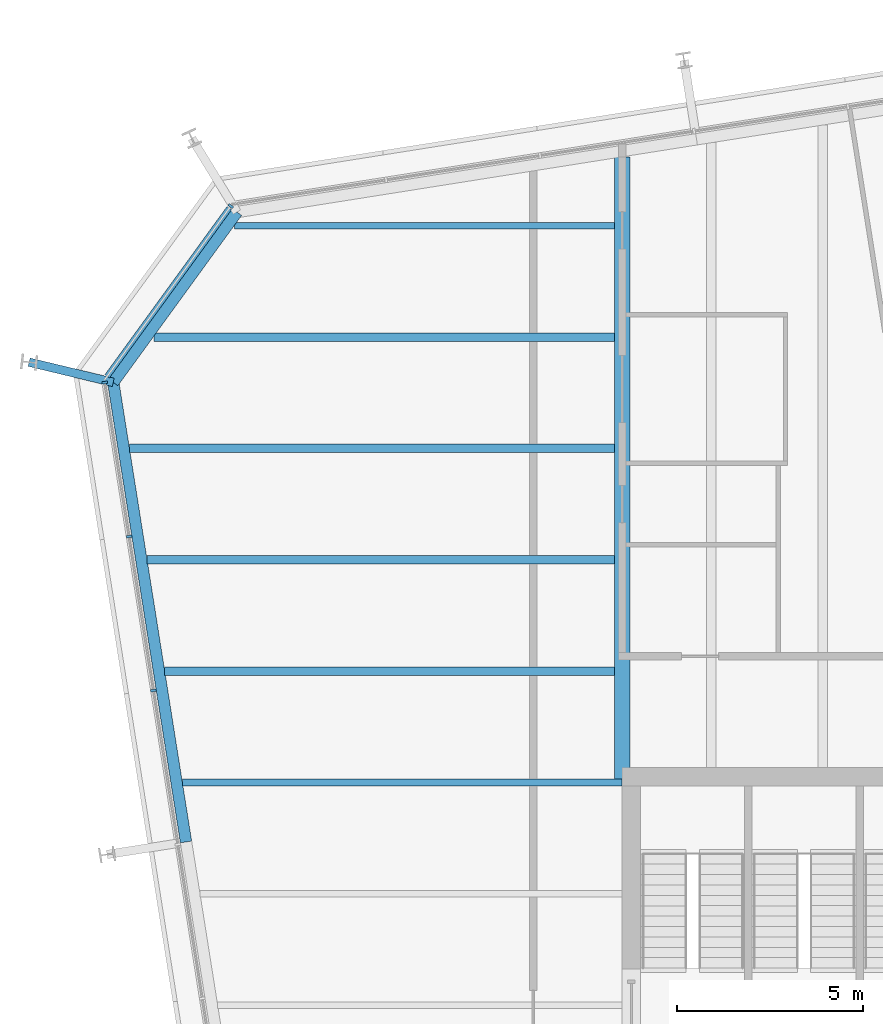
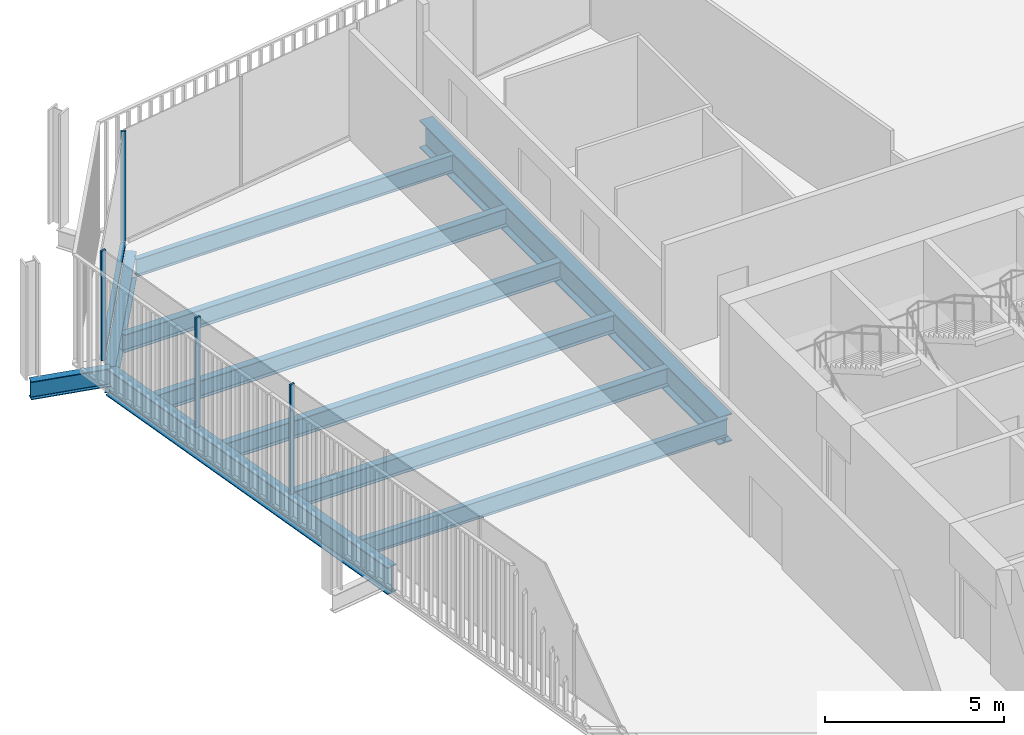
# One storey, part 10 of 20: 10 beams, 5 members, 2 elements without a shape of their own.
"""IFC4 building model written with IfcOpenShell, lengths in metres."""

import ifcopenshell
import ifcopenshell.guid

model = None  # the IFC model being written
_history = None  # IfcOwnerHistory: only IFC2X3 demands one
_inside = {}  # id of a spatial element -> (the spatial element, [elements in it])
_under = {}  # id of a project, library or spatial element -> (it, [spatial elements below it])
_declared = {}  # id of a project -> (the project, [libraries it declares])
_typed = {}  # id of a type object -> (the type object, [elements of that type])
_made_of = {}  # id of a material, layer set ... -> (it, [elements and type objects made of it])


def new_model(schema):
    """Start an empty IFC model of exactly this schema.

    Asked for "IFC4X3", IfcOpenShell would pick the latest addendum, in which some entities
    have other attributes; the version numbers below select the first issue.
    IFC2X3 requires an IfcOwnerHistory on every rooted entity: one is made here for all.
    """
    global model, _history
    if schema == "IFC4X3":
        model = ifcopenshell.file(schema_version=(4, 3, 0, 0))
    else:
        model = ifcopenshell.file(schema=schema)
    _inside.clear()
    _under.clear()
    _declared.clear()
    _typed.clear()
    _made_of.clear()
    _history = None
    if model.schema == "IFC2X3":
        org = make("IfcOrganization", Name="unknown")
        user = make(
            "IfcPersonAndOrganization",
            ThePerson=make("IfcPerson", FamilyName="unknown"),
            TheOrganization=org,
        )
        app = make(
            "IfcApplication",
            ApplicationDeveloper=org,
            Version="unknown",
            ApplicationFullName="unknown",
            ApplicationIdentifier="unknown",
        )
        _history = make(
            "IfcOwnerHistory",
            OwningUser=user,
            OwningApplication=app,
            ChangeAction="ADDED",
            CreationDate=0,
        )
    return model


def make(cls, **values):
    """One entity of the class cls with the attributes given. An attribute that is None is left unset."""
    return model.create_entity(
        cls, **{name: value for name, value in values.items() if value is not None}
    )


def rooted(cls, **values):
    """An entity with a GlobalId (a new one), such as an element, a storey or a relation."""
    return make(cls, GlobalId=ifcopenshell.guid.new(), OwnerHistory=_history, **values)


def si_unit(unit_type, name, prefix=None):
    """IfcSIUnit, for example si_unit("LENGTHUNIT", "METRE", prefix="MILLI")."""
    return make("IfcSIUnit", UnitType=unit_type, Prefix=prefix, Name=name)


def assignment(units):
    """IfcUnitAssignment: the units of a project."""
    return None if units is None else make("IfcUnitAssignment", Units=units)


def point(xyz):
    """IfcCartesianPoint."""
    return None if xyz is None else make("IfcCartesianPoint", Coordinates=xyz)


def direction(xyz):
    """IfcDirection."""
    return None if xyz is None else make("IfcDirection", DirectionRatios=xyz)


def frame(location, z_axis=None, x_axis=None):
    """IfcAxis2Placement3D, a coordinate frame: its origin and axes. An axis left out is left unset."""
    return make(
        "IfcAxis2Placement3D",
        Location=point(location),
        Axis=direction(z_axis),
        RefDirection=direction(x_axis),
    )


def frame_2d(location, x_axis=None):
    """IfcAxis2Placement2D, a coordinate frame in the plane: its origin and x axis."""
    return make(
        "IfcAxis2Placement2D", Location=point(location), RefDirection=direction(x_axis)
    )


def origin():
    """The frame at (0, 0, 0) with its axes left unset."""
    return frame((0.0, 0.0, 0.0))


def origin_2d():
    """The frame at (0, 0) in the plane with its x axis left unset."""
    return frame_2d((0.0, 0.0))


def place(relative_to, where):
    """IfcLocalPlacement: puts the frame where relative to a parent placement (None: the world)."""
    return make(
        "IfcLocalPlacement", PlacementRelTo=relative_to, RelativePlacement=where
    )


def context(
    kind, dimensions, precision=None, world=None, true_north=None, identifier=None
):
    """IfcGeometricRepresentationContext, for example the 3D "Model" context."""
    return make(
        "IfcGeometricRepresentationContext",
        ContextIdentifier=identifier,
        ContextType=kind,
        CoordinateSpaceDimension=dimensions,
        Precision=precision,
        WorldCoordinateSystem=world,
        TrueNorth=true_north,
    )


def subcontext(parent, identifier, kind, view, scale=None):
    """IfcGeometricRepresentationSubContext, for example "Body" below "Model"."""
    return make(
        "IfcGeometricRepresentationSubContext",
        ContextIdentifier=identifier,
        ContextType=kind,
        ParentContext=parent,
        TargetScale=scale,
        TargetView=view,
    )


def project(units=None, contexts=None):
    """IfcProject with its units and contexts."""
    return rooted(
        "IfcProject",
        Name="project",
        RepresentationContexts=contexts,
        UnitsInContext=assignment(units),
    )


def spatial(cls, under=None, at=None, **own):
    """A site, building, storey or space (cls), placed at a placement, below another one or the project."""
    s = rooted(cls, ObjectPlacement=at, **own)
    if under is not None:
        _under.setdefault(under.id(), (under, []))[1].append(s)
    return s


def profile(cls, at=None, kind="AREA", **sizes):
    """A parametric profile (cls). Its sizes go by their IFC names, for example OverallWidth=200.0."""
    return make(cls, ProfileType=kind, Position=at, **sizes)


def rectangle(**sizes):
    """IfcRectangleProfileDef."""
    return profile("IfcRectangleProfileDef", **sizes)


def i_section(**sizes):
    """IfcIShapeProfileDef."""
    return profile("IfcIShapeProfileDef", **sizes)


def extrude(swept, where, along, depth):
    """IfcExtrudedAreaSolid: the profile swept, set in the frame where, extruded along a direction by depth."""
    return make(
        "IfcExtrudedAreaSolid",
        SweptArea=swept,
        Position=where,
        ExtrudedDirection=direction(along),
        Depth=depth,
    )


def shape(context_of_items, identifier, shape_type, items):
    """IfcShapeRepresentation: the items that make up one representation, for example the "Body"."""
    return make(
        "IfcShapeRepresentation",
        ContextOfItems=context_of_items,
        RepresentationIdentifier=identifier,
        RepresentationType=shape_type,
        Items=items,
    )


def material(Name=None, Category=None):
    """IfcMaterial."""
    return make("IfcMaterial", Name=Name, Category=Category)


def layer(
    of_material, thickness, ventilated=None, Name=None, Category=None, Priority=None
):
    """IfcMaterialLayer: one layer of a wall or slab, of a material (None: an air gap)."""
    return make(
        "IfcMaterialLayer",
        Material=of_material,
        LayerThickness=thickness,
        IsVentilated=ventilated,
        Name=Name,
        Category=Category,
        Priority=Priority,
    )


def layer_set(layers, Name=None):
    """IfcMaterialLayerSet."""
    return make("IfcMaterialLayerSet", MaterialLayers=layers, LayerSetName=Name)


def material_profile(
    of_material, cross_section, Name=None, Category=None, Priority=None
):
    """IfcMaterialProfile: a cross section and its material."""
    return make(
        "IfcMaterialProfile",
        Name=Name,
        Material=of_material,
        Profile=cross_section,
        Priority=Priority,
        Category=Category,
    )


def profile_set(profiles, Name=None, composite=None):
    """IfcMaterialProfileSet."""
    return make(
        "IfcMaterialProfileSet",
        Name=Name,
        MaterialProfiles=profiles,
        CompositeProfile=composite,
    )


def made_of(thing, what):
    """Note that an element or type object is made of a material, layer set ...; save() writes the relation."""
    if what is not None:
        _made_of.setdefault(what.id(), (what, []))[1].append(thing)
    return thing


def type_object(cls, material=None, **own):
    """A type object (cls), such as IfcWallType, which elements share."""
    return made_of(rooted(cls, **own), material)


def element(
    cls,
    number,
    at=None,
    inside=None,
    cuts=None,
    type_object=None,
    material=None,
    context=None,
    identifier="Body",
    shape_type=None,
    held_by="IfcProductDefinitionShape",
    body=None,
    shapes=None,
    **own,
):
    """One element of the class cls, such as IfcWall. Its Tag is "e" and its number.

    at: its placement. inside: the storey or other place that contains it. cuts: it is an
    opening in that element (IfcRelVoidsElement). A single representation is given by context,
    identifier, shape_type and body (its items); several are given by shapes. held_by: the class
    of the entity that holds the representations. save() writes the other relations.
    """
    e = rooted(cls, Tag="e%d" % number, ObjectPlacement=at, **own)
    if body is not None:
        shapes = [shape(context, identifier, shape_type, body)]
    if shapes is not None:
        e.Representation = make(held_by, Representations=shapes)
    if inside is not None:
        _inside.setdefault(inside.id(), (inside, []))[1].append(e)
    if cuts is not None:
        rooted(
            "IfcRelVoidsElement", RelatingBuildingElement=cuts, RelatedOpeningElement=e
        )
    if type_object is not None:
        _typed.setdefault(type_object.id(), (type_object, []))[1].append(e)
    return made_of(e, material)


def aggregate(whole, parts):
    """IfcRelAggregates: a whole, such as a stair, and the parts it consists of."""
    return rooted("IfcRelAggregates", RelatingObject=whole, RelatedObjects=parts)


def save(model, path):
    """Write the relations noted so far, then the file.

    IfcRelAggregates (storeys below a building ...), IfcRelContainedInSpatialStructure (elements
    in a storey), IfcRelDefinesByType, IfcRelAssociatesMaterial and IfcRelDeclares: one each for
    every whole, place, type object, material and project.
    """
    for whole, parts in _under.values():
        aggregate(whole, parts)
    for where, things in _inside.values():
        rooted(
            "IfcRelContainedInSpatialStructure",
            RelatedElements=things,
            RelatingStructure=where,
        )
    for kind, things in _typed.values():
        rooted("IfcRelDefinesByType", RelatedObjects=things, RelatingType=kind)
    for what, things in _made_of.values():
        rooted("IfcRelAssociatesMaterial", RelatedObjects=things, RelatingMaterial=what)
    for by, libraries in _declared.values():
        rooted("IfcRelDeclares", RelatingContext=by, RelatedDefinitions=libraries)
    model.write(path)


model = new_model("IFC4")

# Units and contexts
model_context = context("Model", 3, precision=1e-05, world=origin(), true_north=direction((0.0, 1.0)))
body_context = subcontext(model_context, "Body", "Model", "MODEL_VIEW")
ifc_project = project(units=[si_unit("LENGTHUNIT", "METRE"), si_unit("AREAUNIT", "SQUARE_METRE"), si_unit("VOLUMEUNIT", "CUBIC_METRE"), si_unit("PLANEANGLEUNIT", "RADIAN"), si_unit("MASSUNIT", "GRAM", prefix="KILO")], contexts=[model_context])

# Site, building, storey
site_placement = place(None, origin())
site = spatial("IfcSite", under=ifc_project, at=site_placement, CompositionType="ELEMENT")
building_placement = place(site_placement, origin())
building = spatial("IfcBuilding", under=site, at=building_placement, Name="Millrace Tower", CompositionType="ELEMENT")
storey_placement = place(building_placement, frame((0.0, 0.0, 232.0)))
storey = spatial("IfcBuildingStorey", under=building, at=storey_placement, Name="L53", CompositionType="ELEMENT", Elevation=232.0)

# Curtain wall, member
ifc_material_1 = material(Name="Aluminium and glass", Category="aluminium")
ifc_layer = layer(ifc_material_1, 0.14990234375)
ifc_layer_set = layer_set([ifc_layer], Name="Aluminium and glass")
curtain_wall_type = type_object("IfcCurtainWallType", Name="CW-1 office vision curtain wall", PredefinedType="NOTDEFINED", material=ifc_layer_set)
placement = place(storey_placement, origin())
curtain_wall_1 = element("IfcCurtainWall", 1, at=placement, inside=storey, type_object=curtain_wall_type, Name="Curtain wall D-F07 L53", PredefinedType="NOTDEFINED")
ifc_material_2 = material(Name="Aluminium", Category="aluminium")
ifc_material_profile_1 = material_profile(ifc_material_2, rectangle(XDim=0.06494140625, YDim=0.14990234375, at=origin_2d()))
ifc_profile_set_1 = profile_set([ifc_material_profile_1], Name="Aluminium")
member_type_1 = type_object("IfcMemberType", Name="CW-1 office vision curtain wall mullion", PredefinedType="MULLION", material=ifc_profile_set_1)
member_1_placement = place(storey_placement, frame((-24.945068359375, 24.528076171875, 0.139892578125), z_axis=(0.0, 0.0, 1.0), x_axis=(-0.587785305991, -0.809016955361, 0.0)))
member_1 = element("IfcMember", 2, at=member_1_placement, type_object=member_type_1, Name="CW1 mullion D-F07.1", PredefinedType="MULLION", context=body_context, shape_type="SweptSolid", body=[
    extrude(rectangle(XDim=0.06494140625, YDim=0.14990234375, at=origin_2d()), origin(), (0.0, 0.0, 1.0), 3.760009765625),
])

# Curtain wall, members
curtain_wall_2 = element("IfcCurtainWall", 3, at=placement, inside=storey, type_object=curtain_wall_type, Name="Curtain wall D-F08 L53", PredefinedType="NOTDEFINED")
member_2_placement = place(storey_placement, frame((-28.342529296875, 19.775390625, 0.139892578125), z_axis=(0.0, 0.0, 1.0), x_axis=(0.156434471884, -0.987688339511, 0.0)))
member_2 = element("IfcMember", 4, at=member_2_placement, type_object=member_type_1, Name="CW1 mullion D-F08.1", PredefinedType="MULLION", context=body_context, shape_type="SweptSolid", body=[
    extrude(rectangle(XDim=0.06494140625, YDim=0.14990234375, at=origin_2d()), origin(), (0.0, 0.0, 1.0), 3.760009765625),
])
member_3_placement = place(storey_placement, frame((-27.685302734375, 15.627197265625, 0.139892578125), z_axis=(0.0, 0.0, 1.0), x_axis=(0.156434471884, -0.987688339511, 0.0)))
member_3 = element("IfcMember", 5, at=member_3_placement, type_object=member_type_1, Name="CW1 mullion D-F08.2", PredefinedType="MULLION", context=body_context, shape_type="SweptSolid", body=[
    extrude(rectangle(XDim=0.06494140625, YDim=0.14990234375, at=origin_2d()), origin(), (0.0, 0.0, 1.0), 3.760009765625),
])
member_4_placement = place(storey_placement, frame((-27.0283203125, 11.47900390625, 0.139892578125), z_axis=(0.0, 0.0, 1.0), x_axis=(0.156434471884, -0.987688339511, 0.0)))
member_4 = element("IfcMember", 6, at=member_4_placement, type_object=member_type_1, Name="CW1 mullion D-F08.3", PredefinedType="MULLION", context=body_context, shape_type="SweptSolid", body=[
    extrude(rectangle(XDim=0.06494140625, YDim=0.14990234375, at=origin_2d()), origin(), (0.0, 0.0, 1.0), 3.760009765625),
])
aggregate(curtain_wall_2, [member_2, member_3, member_4])

# Member
ifc_material_3 = material(Name="Aluminium", Category="aluminium")
ifc_material_profile_2 = material_profile(ifc_material_3, rectangle(XDim=0.14990234375, YDim=0.139892578125, at=origin_2d()))
ifc_profile_set_2 = profile_set([ifc_material_profile_2], Name="Aluminium")
member_type_2 = type_object("IfcMemberType", Name="CW-1 office vision curtain wall transom", PredefinedType="USERDEFINED", material=ifc_profile_set_2)
member_5_placement = place(storey_placement, frame((-24.98486328125, 24.473388671875, 0.070068359375), z_axis=(-0.587782670904, -0.809018869857, 0.0), x_axis=(0.809018869857, -0.587782670904, 0.0)))
member_5 = element("IfcMember", 7, at=member_5_placement, type_object=member_type_2, Name="CW1 transom D-F07.1", ObjectType="TRANSOM", PredefinedType="USERDEFINED", context=body_context, shape_type="SweptSolid", body=[
    extrude(rectangle(XDim=0.14990234375, YDim=0.139892578125, at=origin_2d()), origin(), (0.0, 0.0, 1.0), 5.59814453125),
])

aggregate(curtain_wall_1, [member_1, member_5])

# Beams
ifc_material_4 = material(Name="Steel ASTM A992 Grade 50", Category="steel")
ifc_material_profile_3 = material_profile(ifc_material_4, i_section(OverallWidth=0.1787109375, OverallDepth=0.60205078125, WebThickness=0.010986328125, FlangeThickness=0.014892578125, FilletRadius=0.0126953125, at=origin_2d()))
ifc_profile_set_3 = profile_set([ifc_material_profile_3], Name="Steel ASTM A992 Grade 50")
beam_type_1 = type_object("IfcBeamType", Name="Floor beam W24x62", PredefinedType="JOIST", material=ifc_profile_set_3)
beam_1_placement = place(storey_placement, frame((-26.248779296875, 9.0, -0.4609375), z_axis=(1.0, 0.0, 0.0), x_axis=(0.0, 1.0, 0.0)))
element("IfcBeam", 8, at=beam_1_placement, inside=storey, type_object=beam_type_1, Name="BM-D-L53-S1-S023", PredefinedType="JOIST", context=body_context, shape_type="SweptSolid", body=[
    extrude(i_section(OverallWidth=0.1787109375, OverallDepth=0.60205078125, WebThickness=0.010986328125, FlangeThickness=0.014892578125, FilletRadius=0.0126953125, at=origin_2d()), origin(), (0.0, 0.0, 1.0), 11.848876953125),
])
beam_2_placement = place(storey_placement, frame((-24.843994140625, 24.0, -0.4609375), z_axis=(1.0, 0.0, 0.0), x_axis=(0.0, 1.0, 0.0)))
element("IfcBeam", 9, at=beam_2_placement, inside=storey, type_object=beam_type_1, Name="BM-D-L53-S1-S033", PredefinedType="JOIST", context=body_context, shape_type="SweptSolid", body=[
    extrude(i_section(OverallWidth=0.1787109375, OverallDepth=0.60205078125, WebThickness=0.010986328125, FlangeThickness=0.014892578125, FilletRadius=0.0126953125, at=origin_2d()), origin(), (0.0, 0.0, 1.0), 10.234375),
])
ifc_material_5 = material(Name="Steel ASTM A992 Grade 50", Category="steel")
ifc_material_profile_4 = material_profile(ifc_material_5, i_section(OverallWidth=0.228271484375, OverallDepth=0.607177734375, WebThickness=0.01123046875, FlangeThickness=0.017333984375, FilletRadius=0.0126953125, at=origin_2d()))
ifc_profile_set_4 = profile_set([ifc_material_profile_4], Name="Steel ASTM A992 Grade 50")
beam_type_2 = type_object("IfcBeamType", Name="Floor beam W24x76", PredefinedType="JOIST", material=ifc_profile_set_4)
beam_3_placement = place(storey_placement, frame((-26.723876953125, 12.0, -0.463623046875), z_axis=(1.0, 0.0, 0.0), x_axis=(0.0, 1.0, 0.0)))
element("IfcBeam", 10, at=beam_3_placement, inside=storey, type_object=beam_type_2, Name="BM-D-L53-S1-S025", PredefinedType="JOIST", context=body_context, shape_type="SweptSolid", body=[
    extrude(i_section(OverallWidth=0.228271484375, OverallDepth=0.607177734375, WebThickness=0.01123046875, FlangeThickness=0.017333984375, FilletRadius=0.0126953125, at=origin_2d()), origin(), (0.0, 0.0, 1.0), 12.1142578125),
])
beam_4_placement = place(storey_placement, frame((-27.198974609375, 15.0, -0.463623046875), z_axis=(1.0, 0.0, 0.0), x_axis=(0.0, 1.0, 0.0)))
element("IfcBeam", 11, at=beam_4_placement, inside=storey, type_object=beam_type_2, Name="BM-D-L53-S1-S027", PredefinedType="JOIST", context=body_context, shape_type="SweptSolid", body=[
    extrude(i_section(OverallWidth=0.228271484375, OverallDepth=0.607177734375, WebThickness=0.01123046875, FlangeThickness=0.017333984375, FilletRadius=0.0126953125, at=origin_2d()), origin(), (0.0, 0.0, 1.0), 12.58935546875),
])
beam_5_placement = place(storey_placement, frame((-27.674072265625, 18.0, -0.463623046875), z_axis=(1.0, 0.0, 0.0), x_axis=(0.0, 1.0, 0.0)))
element("IfcBeam", 12, at=beam_5_placement, inside=storey, type_object=beam_type_2, Name="BM-D-L53-S1-S029", PredefinedType="JOIST", context=body_context, shape_type="SweptSolid", body=[
    extrude(i_section(OverallWidth=0.228271484375, OverallDepth=0.607177734375, WebThickness=0.01123046875, FlangeThickness=0.017333984375, FilletRadius=0.0126953125, at=origin_2d()), origin(), (0.0, 0.0, 1.0), 13.064453125),
])
beam_6_placement = place(storey_placement, frame((-27.0078125, 21.0, -0.463623046875), z_axis=(1.0, 0.0, 0.0), x_axis=(0.0, 1.0, 0.0)))
element("IfcBeam", 13, at=beam_6_placement, inside=storey, type_object=beam_type_2, Name="BM-D-L53-S1-S031", PredefinedType="JOIST", context=body_context, shape_type="SweptSolid", body=[
    extrude(i_section(OverallWidth=0.228271484375, OverallDepth=0.607177734375, WebThickness=0.01123046875, FlangeThickness=0.017333984375, FilletRadius=0.0126953125, at=origin_2d()), origin(), (0.0, 0.0, 1.0), 12.398193359375),
])
ifc_material_6 = material(Name="Steel ASTM A992 Grade 50", Category="steel")
ifc_material_profile_5 = material_profile(ifc_material_6, i_section(OverallWidth=0.424072265625, OverallDepth=0.947509765625, WebThickness=0.02392578125, FlangeThickness=0.042724609375, FilletRadius=0.024169921875, at=origin_2d()))
ifc_profile_set_5 = profile_set([ifc_material_profile_5], Name="Steel ASTM A992 Grade 50")
beam_type_3 = type_object("IfcBeamType", Name="Girder medium span W36x302", PredefinedType="BEAM", material=ifc_profile_set_5)
beam_7_placement = place(storey_placement, frame((-14.39990234375, 9.092041015625, -0.6337890625), z_axis=(0.0, 1.0, 0.0), x_axis=(-1.0, 0.0, 0.0)))
element("IfcBeam", 14, at=beam_7_placement, inside=storey, type_object=beam_type_3, Name="BM-D-L53-S1-G054", PredefinedType="BEAM", context=body_context, shape_type="SweptSolid", body=[
    extrude(i_section(OverallWidth=0.424072265625, OverallDepth=0.947509765625, WebThickness=0.02392578125, FlangeThickness=0.042724609375, FilletRadius=0.024169921875, at=origin_2d()), origin(), (0.0, 0.0, 1.0), 16.756591796875),
])
ifc_material_7 = material(Name="Steel ASTM A992 Grade 50", Category="steel")
ifc_material_profile_6 = material_profile(ifc_material_7, i_section(OverallWidth=0.23046875, OverallDepth=0.6171875, WebThickness=0.01318359375, FlangeThickness=0.022216796875, FilletRadius=0.012939453125, at=origin_2d()))
ifc_profile_set_6 = profile_set([ifc_material_profile_6], Name="Steel ASTM A992 Grade 50")
beam_type_4 = type_object("IfcBeamType", Name="Link beam W24x94", PredefinedType="BEAM", material=ifc_profile_set_6)
beam_8_placement = place(storey_placement, frame((-28.11181640625, 19.780517578125, -0.468505859375), z_axis=(-0.972367333652, 0.233456138164, 0.0), x_axis=(-0.233456138164, -0.972367333652, 0.0)))
element("IfcBeam", 15, at=beam_8_placement, inside=storey, type_object=beam_type_4, Name="LNK-D-L53-S1-04", PredefinedType="BEAM", context=body_context, shape_type="SweptSolid", body=[
    extrude(i_section(OverallWidth=0.23046875, OverallDepth=0.6171875, WebThickness=0.01318359375, FlangeThickness=0.022216796875, FilletRadius=0.012939453125, at=origin_2d()), origin(), (0.0, 0.0, 1.0), 2.3310546875),
])
ifc_material_8 = material(Name="Steel ASTM A992 Grade 50", Category="steel")
ifc_material_profile_7 = material_profile(ifc_material_8, i_section(OverallWidth=0.307373046875, OverallDepth=0.927001953125, WebThickness=0.01953125, FlangeThickness=0.031982421875, FilletRadius=0.01904296875, at=origin_2d()))
ifc_profile_set_7 = profile_set([ifc_material_profile_7], Name="Steel ASTM A992 Grade 50")
beam_type_5 = type_object("IfcBeamType", Name="Ring beam medium span W36x194", PredefinedType="SPANDREL", material=ifc_profile_set_7)
beam_9_placement = place(storey_placement, frame((-26.150634765625, 7.3984375, -0.62353515625), z_axis=(-0.156438575049, 0.987687689625, 0.0), x_axis=(-0.987687689625, -0.156438575049, 0.0)))
element("IfcBeam", 16, at=beam_9_placement, inside=storey, type_object=beam_type_5, Name="RNG-D-L53-S1-03", PredefinedType="SPANDREL", context=body_context, shape_type="SweptSolid", body=[
    extrude(i_section(OverallWidth=0.307373046875, OverallDepth=0.927001953125, WebThickness=0.01953125, FlangeThickness=0.031982421875, FilletRadius=0.01904296875, at=origin_2d()), origin(), (0.0, 0.0, 1.0), 12.536376953125),
])
ifc_material_9 = material(Name="Steel ASTM A992 Grade 50", Category="steel")
ifc_material_profile_8 = material_profile(ifc_material_9, i_section(OverallWidth=0.307373046875, OverallDepth=0.927001953125, WebThickness=0.01953125, FlangeThickness=0.031982421875, FilletRadius=0.01904296875, at=origin_2d()))
ifc_profile_set_8 = profile_set([ifc_material_profile_8], Name="Steel ASTM A992 Grade 50")
beam_type_6 = type_object("IfcBeamType", Name="Ring beam short span W36x194", PredefinedType="SPANDREL", material=ifc_profile_set_8)
beam_10_placement = place(storey_placement, frame((-28.11181640625, 19.780517578125, -0.62353515625), z_axis=(0.587808154511, 0.809000354444, 0.0), x_axis=(-0.809000354444, 0.587808154511, 0.0)))
element("IfcBeam", 17, at=beam_10_placement, inside=storey, type_object=beam_type_6, Name="RNG-D-L53-S1-04", PredefinedType="SPANDREL", context=body_context, shape_type="SweptSolid", body=[
    extrude(i_section(OverallWidth=0.307373046875, OverallDepth=0.927001953125, WebThickness=0.01953125, FlangeThickness=0.031982421875, FilletRadius=0.01904296875, at=origin_2d()), origin(), (0.0, 0.0, 1.0), 5.671142578125),
])

save(model, "model.ifc")
